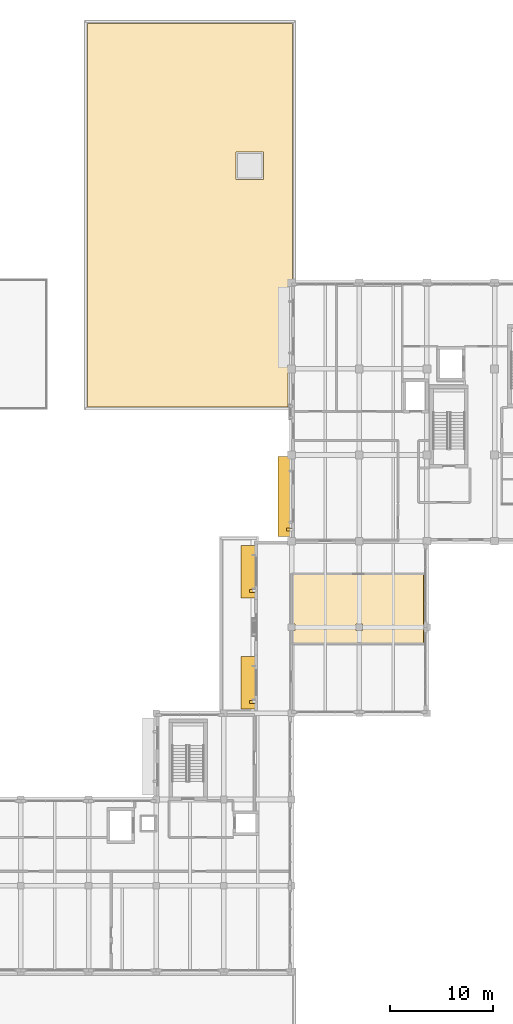
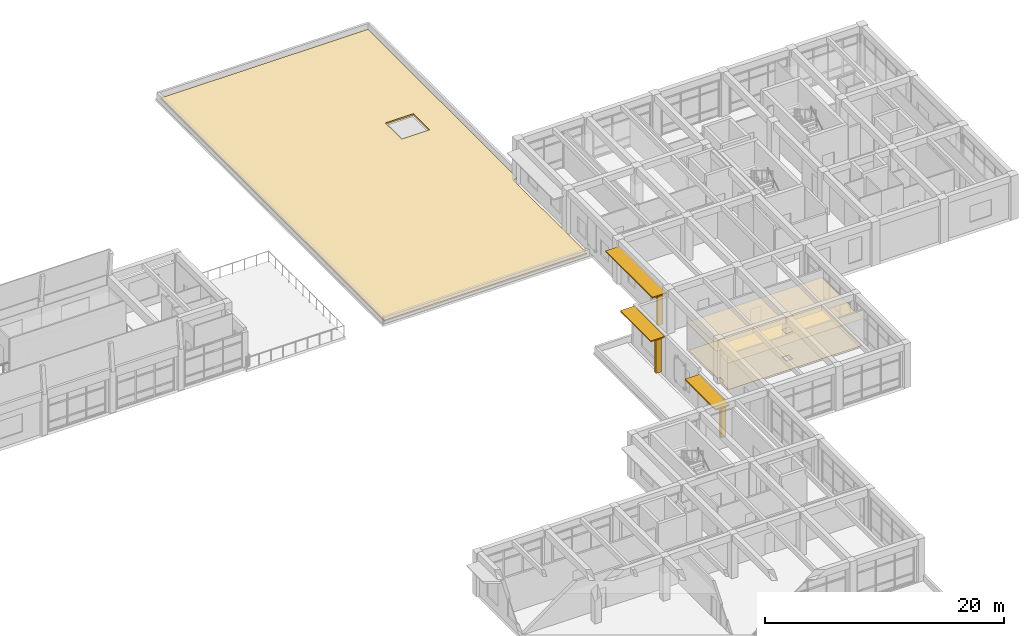
# One storey, part 48 of 50: 6 shading devices, 3 coverings.
"""IFC4 building model written with IfcOpenShell, lengths in metres."""

from ifc_helpers import new_model, si_unit, direction, frame, origin, origin_2d, place, context, subcontext, project, spatial, polyline, rectangle, outline, extrude, material, layer, layer_set, type_object, element, save


model = new_model("IFC4")

# Units and contexts
model_context = context("Model", 3, precision=1e-05, world=origin(), true_north=direction((0.0, 1.0)))
body_context = subcontext(model_context, "Body", "Model", "MODEL_VIEW")
ifc_project = project(units=[si_unit("LENGTHUNIT", "METRE"), si_unit("AREAUNIT", "SQUARE_METRE"), si_unit("VOLUMEUNIT", "CUBIC_METRE"), si_unit("PLANEANGLEUNIT", "RADIAN"), si_unit("MASSUNIT", "GRAM", prefix="KILO")], contexts=[model_context])

# Site, building, storey
site_placement = place(None, origin())
site = spatial("IfcSite", under=ifc_project, at=site_placement, CompositionType="ELEMENT")
building_placement = place(site_placement, origin())
building = spatial("IfcBuilding", under=site, at=building_placement, Name="Kolvaren Faculty of Natural Sciences", CompositionType="ELEMENT")
storey_placement = place(building_placement, frame((0.0, 0.0, 15.0)))
storey = spatial("IfcBuildingStorey", under=building, at=storey_placement, Name="L03", CompositionType="ELEMENT", Elevation=15.0)

# Covering
ifc_material_1 = material(Name="Perforated mineral-fibre acoustic suspended ceiling tile")
ifc_layer_1 = layer(ifc_material_1, 0.02490234375)
ifc_layer_set_1 = layer_set([ifc_layer_1], Name="Perforated mineral-fibre acoustic suspended ceiling tile")
covering_type_1 = type_object("IfcCoveringType", Name="AcousticSuspendedCeiling_25", PredefinedType="CEILING", material=ifc_layer_set_1)
covering_1_placement = place(storey_placement, frame((0.0, 0.0, 2.824951171875)))
element("IfcCovering", 1, at=covering_1_placement, inside=storey, type_object=covering_type_1, Name="L03 L03 Earth Sciences Faculty Office acoustic ceiling", PredefinedType="CEILING", context=body_context, shape_type="SweptSolid", body=[
    extrude(outline(polyline([(151.780029296875, 50.925048828125), (151.675048828125, 50.925048828125), (151.675048828125, 50.27490234375), (151.780029296875, 50.27490234375), (151.780029296875, 48.919921875), (138.719970703125, 48.919921875), (138.719970703125, 50.27490234375), (139.125, 50.27490234375), (139.125, 50.925048828125), (138.719970703125, 50.925048828125), (138.719970703125, 55.8798828125), (151.780029296875, 55.8798828125), (151.780029296875, 50.925048828125)]), holes=[polyline([(145.074951171875, 50.925048828125), (145.074951171875, 50.27490234375), (145.72509765625, 50.27490234375), (145.72509765625, 50.925048828125), (145.074951171875, 50.925048828125)])]), origin(), (0.0, 0.0, 1.0), 0.025146484375),
])

# Shading devices
ifc_material_2 = material(Name="Precast concrete C35/45", Category="concrete")
ifc_layer_2 = layer(ifc_material_2, 0.1201171875)
ifc_layer_set_2 = layer_set([ifc_layer_2], Name="Precast concrete C35/45")
shading_device_type_1 = type_object("IfcShadingDeviceType", Name="ChhajjaSolarHood_1350", PredefinedType="AWNING", material=ifc_layer_set_2)
for number, where, z_axis, x_axis, name in (
    (2, (134.544921875, 45.186767578125, 3.544921875), (0.0, 0.0, 1.0), (0.0, 1.0, 0.0), "L03 precast sandstone chhajja solar hood 114"),
    (3, (134.544921875, 56.013427734375, 3.9599609375), (0.0, 0.0, 1.0), (0.0, 1.0, 0.0), "L03 precast sandstone chhajja solar hood 115"),
):
    element("IfcShadingDevice", number, at=place(storey_placement, frame(where, z_axis=z_axis, x_axis=x_axis)), inside=storey, type_object=shading_device_type_1, Name=name, PredefinedType="AWNING", context=body_context, shape_type="SweptSolid", body=[
        extrude(rectangle(XDim=5.11328125, YDim=1.35009765625, at=origin_2d()), origin(), (0.0, 0.0, 1.0), 0.1201171875),
    ])
shading_device_1_placement = place(storey_placement, frame((138.14501953125, 63.340087890625, 3.544921875), z_axis=(0.0, 0.0, 1.0), x_axis=(0.0, 1.0, 0.0)))
element("IfcShadingDevice", 4, at=shading_device_1_placement, inside=storey, type_object=shading_device_type_1, Name="L03 precast sandstone chhajja solar hood 116", PredefinedType="AWNING", context=body_context, shape_type="SweptSolid", body=[
    extrude(rectangle(XDim=7.820068359375, YDim=1.35009765625, at=origin_2d()), origin(), (0.0, 0.0, 1.0), 0.1201171875),
])
ifc_layer_3 = layer(ifc_material_2, 0.280029296875)
ifc_layer_set_3 = layer_set([ifc_layer_3], Name="Precast concrete C35/45")
shading_device_type_2 = type_object("IfcShadingDeviceType", Name="FacadeReliefFin_280x520", PredefinedType="USERDEFINED", material=ifc_layer_set_3)
shading_device_2_placement = place(storey_placement, frame((134.9599609375, 43.330078125, 0.1201171875), z_axis=(0.0, 0.0, 1.0), x_axis=(0.0, 1.0, 0.0)))
element("IfcShadingDevice", 5, at=shading_device_2_placement, inside=storey, type_object=shading_device_type_2, Name="L03 projecting sandstone facade relief fin 7", ObjectType="FIN", PredefinedType="USERDEFINED", context=body_context, shape_type="SweptSolid", body=[
    extrude(rectangle(XDim=0.280029296875, YDim=0.52001953125, at=origin_2d()), origin(), (0.0, 0.0, 1.0), 3.5048828125),
])
shading_device_3_placement = place(storey_placement, frame((134.9599609375, 54.15673828125, 0.1201171875), z_axis=(0.0, 0.0, 1.0), x_axis=(0.0, 1.0, 0.0)))
element("IfcShadingDevice", 6, at=shading_device_3_placement, inside=storey, type_object=shading_device_type_2, Name="L03 projecting sandstone facade relief fin 8", ObjectType="FIN", PredefinedType="USERDEFINED", context=body_context, shape_type="SweptSolid", body=[
    extrude(rectangle(XDim=0.280029296875, YDim=0.52001953125, at=origin_2d()), origin(), (0.0, 0.0, 1.0), 3.919921875),
])
shading_device_4_placement = place(storey_placement, frame((138.56005859375, 60.1298828125, 0.1201171875), z_axis=(0.0, 0.0, 1.0), x_axis=(0.0, 1.0, 0.0)))
element("IfcShadingDevice", 7, at=shading_device_4_placement, inside=storey, type_object=shading_device_type_2, Name="L03 projecting sandstone facade relief fin 9", ObjectType="FIN", PredefinedType="USERDEFINED", context=body_context, shape_type="SweptSolid", body=[
    extrude(rectangle(XDim=0.280029296875, YDim=0.52001953125, at=origin_2d()), origin(), (0.0, 0.0, 1.0), 3.5048828125),
])

# Coverings
ifc_material_3 = material(Name="SBS polymer-modified bitumen waterproofing membrane over PIR insulation")
ifc_layer_4 = layer(ifc_material_3, 0.139892578125)
ifc_layer_set_4 = layer_set([ifc_layer_4], Name="SBS polymer-modified bitumen waterproofing membrane over PIR insulation")
covering_type_2 = type_object("IfcCoveringType", Name="InsulatedRoofMembrane_140", PredefinedType="ROOFING", material=ifc_layer_set_4)
covering_2_placement = place(storey_placement, origin())
element("IfcCovering", 8, at=covering_2_placement, inside=storey, type_object=covering_type_2, Name="L03 insulated warm-roof waterproofing membrane 1", PredefinedType="ROOFING", context=body_context, shape_type="SweptSolid", body=[
    extrude(outline(polyline([(138.783935546875, 84.53955078125), (138.781982421875, 84.53955078125), (138.748046875, 84.535888671875), (138.74609375, 84.53564453125), (138.714599609375, 84.529052734375), (138.712890625, 84.528564453125), (138.69775390625, 84.524169921875), (138.69580078125, 84.523681640625), (138.668701171875, 84.513671875), (138.642578125, 84.501220703125), (138.640869140625, 84.50048828125), (138.62841796875, 84.493408203125), (138.626708984375, 84.492431640625), (138.607666015625, 84.480224609375), (138.60595703125, 84.479248046875), (138.582763671875, 84.46142578125), (138.56103515625, 84.44189453125), (138.55810546875, 84.43896484375), (138.53857421875, 84.417236328125), (138.520751953125, 84.39404296875), (138.519775390625, 84.392333984375), (138.507568359375, 84.373291015625), (138.506591796875, 84.37158203125), (138.49951171875, 84.359130859375), (138.498779296875, 84.357421875), (138.486328125, 84.331298828125), (138.476318359375, 84.30419921875), (138.475830078125, 84.30224609375), (138.471435546875, 84.287109375), (138.470947265625, 84.285400390625), (138.46435546875, 84.25390625), (138.464111328125, 84.251953125), (138.46044921875, 84.218017578125), (138.46044921875, 84.216064453125), (138.4599609375, 84.199951171875), (138.4599609375, 72.090087890625), (118.889892578125, 72.090087890625), (118.889892578125, 109.510009765625), (138.909912109375, 109.510009765625), (138.909912109375, 84.5400390625), (138.800048828125, 84.5400390625), (138.783935546875, 84.53955078125)]), holes=[polyline([(136.056884765625, 96.958984375), (133.35693359375, 96.958984375), (133.35693359375, 94.259033203125), (136.056884765625, 94.259033203125), (136.056884765625, 96.958984375)])]), origin(), (0.0, 0.0, 1.0), 0.139892578125),
])
ifc_material_4 = material(Name="Polished Uruguayan grey granite terrazzo flooring", Category="masonry")
ifc_layer_5 = layer(ifc_material_4, 0.030029296875)
ifc_layer_set_5 = layer_set([ifc_layer_5], Name="Polished Uruguayan grey granite terrazzo flooring")
covering_type_3 = type_object("IfcCoveringType", Name="TerrazzoFloorFinish_30", PredefinedType="FLOORING", material=ifc_layer_set_5)
covering_3_placement = place(storey_placement, origin())
element("IfcCovering", 9, at=covering_3_placement, inside=storey, type_object=covering_type_3, Name="L03 L03 Earth Sciences Faculty Office floor finish", PredefinedType="FLOORING", context=body_context, shape_type="SweptSolid", body=[
    extrude(outline(polyline([(151.659912109375, 55.739990234375), (151.659912109375, 49.06005859375), (138.860107421875, 49.06005859375), (138.860107421875, 50.27490234375), (139.125, 50.27490234375), (139.125, 50.925048828125), (138.860107421875, 50.925048828125), (138.860107421875, 55.739990234375), (151.659912109375, 55.739990234375)]), holes=[polyline([(145.074951171875, 50.925048828125), (145.074951171875, 50.27490234375), (145.72509765625, 50.27490234375), (145.72509765625, 50.925048828125), (145.074951171875, 50.925048828125)])]), origin(), (0.0, 0.0, 1.0), 0.030029296875),
])

save(model, "model.ifc")
